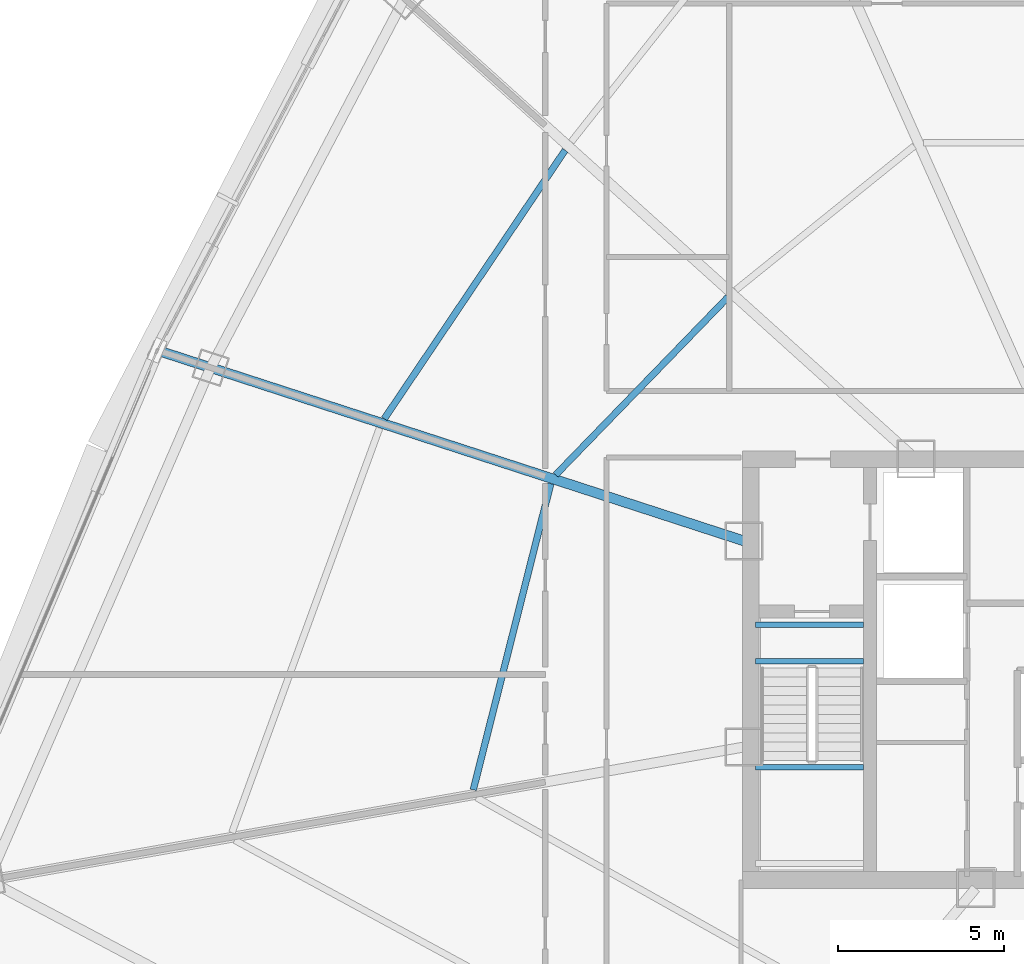
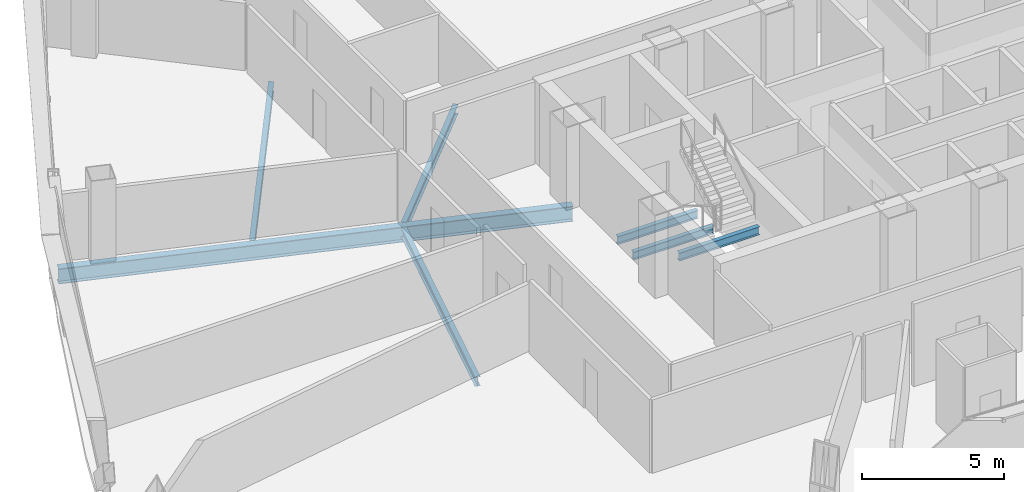
# One storey, part 9 of 38: 7 beams.
"""IFC4 building model written with IfcOpenShell, lengths in metres."""

import ifcopenshell
import ifcopenshell.guid

model = None  # the IFC model being written
_history = None  # IfcOwnerHistory: only IFC2X3 demands one
_inside = {}  # id of a spatial element -> (the spatial element, [elements in it])
_under = {}  # id of a project, library or spatial element -> (it, [spatial elements below it])
_declared = {}  # id of a project -> (the project, [libraries it declares])
_typed = {}  # id of a type object -> (the type object, [elements of that type])
_made_of = {}  # id of a material, layer set ... -> (it, [elements and type objects made of it])


def new_model(schema):
    """Start an empty IFC model of exactly this schema.

    Asked for "IFC4X3", IfcOpenShell would pick the latest addendum, in which some entities
    have other attributes; the version numbers below select the first issue.
    IFC2X3 requires an IfcOwnerHistory on every rooted entity: one is made here for all.
    """
    global model, _history
    if schema == "IFC4X3":
        model = ifcopenshell.file(schema_version=(4, 3, 0, 0))
    else:
        model = ifcopenshell.file(schema=schema)
    _inside.clear()
    _under.clear()
    _declared.clear()
    _typed.clear()
    _made_of.clear()
    _history = None
    if model.schema == "IFC2X3":
        org = make("IfcOrganization", Name="unknown")
        user = make(
            "IfcPersonAndOrganization",
            ThePerson=make("IfcPerson", FamilyName="unknown"),
            TheOrganization=org,
        )
        app = make(
            "IfcApplication",
            ApplicationDeveloper=org,
            Version="unknown",
            ApplicationFullName="unknown",
            ApplicationIdentifier="unknown",
        )
        _history = make(
            "IfcOwnerHistory",
            OwningUser=user,
            OwningApplication=app,
            ChangeAction="ADDED",
            CreationDate=0,
        )
    return model


def make(cls, **values):
    """One entity of the class cls with the attributes given. An attribute that is None is left unset."""
    return model.create_entity(
        cls, **{name: value for name, value in values.items() if value is not None}
    )


def rooted(cls, **values):
    """An entity with a GlobalId (a new one), such as an element, a storey or a relation."""
    return make(cls, GlobalId=ifcopenshell.guid.new(), OwnerHistory=_history, **values)


def si_unit(unit_type, name, prefix=None):
    """IfcSIUnit, for example si_unit("LENGTHUNIT", "METRE", prefix="MILLI")."""
    return make("IfcSIUnit", UnitType=unit_type, Prefix=prefix, Name=name)


def assignment(units):
    """IfcUnitAssignment: the units of a project."""
    return None if units is None else make("IfcUnitAssignment", Units=units)


def point(xyz):
    """IfcCartesianPoint."""
    return None if xyz is None else make("IfcCartesianPoint", Coordinates=xyz)


def direction(xyz):
    """IfcDirection."""
    return None if xyz is None else make("IfcDirection", DirectionRatios=xyz)


def frame(location, z_axis=None, x_axis=None):
    """IfcAxis2Placement3D, a coordinate frame: its origin and axes. An axis left out is left unset."""
    return make(
        "IfcAxis2Placement3D",
        Location=point(location),
        Axis=direction(z_axis),
        RefDirection=direction(x_axis),
    )


def frame_2d(location, x_axis=None):
    """IfcAxis2Placement2D, a coordinate frame in the plane: its origin and x axis."""
    return make(
        "IfcAxis2Placement2D", Location=point(location), RefDirection=direction(x_axis)
    )


def origin():
    """The frame at (0, 0, 0) with its axes left unset."""
    return frame((0.0, 0.0, 0.0))


def origin_2d():
    """The frame at (0, 0) in the plane with its x axis left unset."""
    return frame_2d((0.0, 0.0))


def place(relative_to, where):
    """IfcLocalPlacement: puts the frame where relative to a parent placement (None: the world)."""
    return make(
        "IfcLocalPlacement", PlacementRelTo=relative_to, RelativePlacement=where
    )


def context(
    kind, dimensions, precision=None, world=None, true_north=None, identifier=None
):
    """IfcGeometricRepresentationContext, for example the 3D "Model" context."""
    return make(
        "IfcGeometricRepresentationContext",
        ContextIdentifier=identifier,
        ContextType=kind,
        CoordinateSpaceDimension=dimensions,
        Precision=precision,
        WorldCoordinateSystem=world,
        TrueNorth=true_north,
    )


def subcontext(parent, identifier, kind, view, scale=None):
    """IfcGeometricRepresentationSubContext, for example "Body" below "Model"."""
    return make(
        "IfcGeometricRepresentationSubContext",
        ContextIdentifier=identifier,
        ContextType=kind,
        ParentContext=parent,
        TargetScale=scale,
        TargetView=view,
    )


def project(units=None, contexts=None):
    """IfcProject with its units and contexts."""
    return rooted(
        "IfcProject",
        Name="project",
        RepresentationContexts=contexts,
        UnitsInContext=assignment(units),
    )


def spatial(cls, under=None, at=None, **own):
    """A site, building, storey or space (cls), placed at a placement, below another one or the project."""
    s = rooted(cls, ObjectPlacement=at, **own)
    if under is not None:
        _under.setdefault(under.id(), (under, []))[1].append(s)
    return s


def profile(cls, at=None, kind="AREA", **sizes):
    """A parametric profile (cls). Its sizes go by their IFC names, for example OverallWidth=200.0."""
    return make(cls, ProfileType=kind, Position=at, **sizes)


def i_section(**sizes):
    """IfcIShapeProfileDef."""
    return profile("IfcIShapeProfileDef", **sizes)


def extrude(swept, where, along, depth):
    """IfcExtrudedAreaSolid: the profile swept, set in the frame where, extruded along a direction by depth."""
    return make(
        "IfcExtrudedAreaSolid",
        SweptArea=swept,
        Position=where,
        ExtrudedDirection=direction(along),
        Depth=depth,
    )


def shape(context_of_items, identifier, shape_type, items):
    """IfcShapeRepresentation: the items that make up one representation, for example the "Body"."""
    return make(
        "IfcShapeRepresentation",
        ContextOfItems=context_of_items,
        RepresentationIdentifier=identifier,
        RepresentationType=shape_type,
        Items=items,
    )


def source(mapping_origin, context_of_items, identifier, shape_type, items):
    """IfcRepresentationMap: a shape defined once, which mapped items show again and again."""
    return make(
        "IfcRepresentationMap",
        MappingOrigin=mapping_origin,
        MappedRepresentation=shape(context_of_items, identifier, shape_type, items),
    )


def transform(
    local_origin,
    x_axis=None,
    y_axis=None,
    z_axis=None,
    scale=None,
    scale2=None,
    scale3=None,
    uniform=True,
):
    """IfcCartesianTransformationOperator3D, or its non-uniform kind. x_axis, y_axis, z_axis: its Axis1, 2, 3."""
    if uniform:
        return make(
            "IfcCartesianTransformationOperator3D",
            Axis1=direction(x_axis),
            Axis2=direction(y_axis),
            LocalOrigin=point(local_origin),
            Scale=scale,
            Axis3=direction(z_axis),
        )
    return make(
        "IfcCartesianTransformationOperator3DnonUniform",
        Axis1=direction(x_axis),
        Axis2=direction(y_axis),
        LocalOrigin=point(local_origin),
        Scale=scale,
        Axis3=direction(z_axis),
        Scale2=scale2,
        Scale3=scale3,
    )


def mapped(mapping_source, mapping_target):
    """IfcMappedItem: shows the shape of a source again, moved by a transform."""
    return make(
        "IfcMappedItem", MappingSource=mapping_source, MappingTarget=mapping_target
    )


def material(Name=None, Category=None):
    """IfcMaterial."""
    return make("IfcMaterial", Name=Name, Category=Category)


def material_profile(
    of_material, cross_section, Name=None, Category=None, Priority=None
):
    """IfcMaterialProfile: a cross section and its material."""
    return make(
        "IfcMaterialProfile",
        Name=Name,
        Material=of_material,
        Profile=cross_section,
        Priority=Priority,
        Category=Category,
    )


def profile_set(profiles, Name=None, composite=None):
    """IfcMaterialProfileSet."""
    return make(
        "IfcMaterialProfileSet",
        Name=Name,
        MaterialProfiles=profiles,
        CompositeProfile=composite,
    )


def made_of(thing, what):
    """Note that an element or type object is made of a material, layer set ...; save() writes the relation."""
    if what is not None:
        _made_of.setdefault(what.id(), (what, []))[1].append(thing)
    return thing


def type_object(cls, material=None, **own):
    """A type object (cls), such as IfcWallType, which elements share."""
    return made_of(rooted(cls, **own), material)


def element(
    cls,
    number,
    at=None,
    inside=None,
    cuts=None,
    type_object=None,
    material=None,
    context=None,
    identifier="Body",
    shape_type=None,
    held_by="IfcProductDefinitionShape",
    body=None,
    shapes=None,
    **own,
):
    """One element of the class cls, such as IfcWall. Its Tag is "e" and its number.

    at: its placement. inside: the storey or other place that contains it. cuts: it is an
    opening in that element (IfcRelVoidsElement). A single representation is given by context,
    identifier, shape_type and body (its items); several are given by shapes. held_by: the class
    of the entity that holds the representations. save() writes the other relations.
    """
    e = rooted(cls, Tag="e%d" % number, ObjectPlacement=at, **own)
    if body is not None:
        shapes = [shape(context, identifier, shape_type, body)]
    if shapes is not None:
        e.Representation = make(held_by, Representations=shapes)
    if inside is not None:
        _inside.setdefault(inside.id(), (inside, []))[1].append(e)
    if cuts is not None:
        rooted(
            "IfcRelVoidsElement", RelatingBuildingElement=cuts, RelatedOpeningElement=e
        )
    if type_object is not None:
        _typed.setdefault(type_object.id(), (type_object, []))[1].append(e)
    return made_of(e, material)


def aggregate(whole, parts):
    """IfcRelAggregates: a whole, such as a stair, and the parts it consists of."""
    return rooted("IfcRelAggregates", RelatingObject=whole, RelatedObjects=parts)


def save(model, path):
    """Write the relations noted so far, then the file.

    IfcRelAggregates (storeys below a building ...), IfcRelContainedInSpatialStructure (elements
    in a storey), IfcRelDefinesByType, IfcRelAssociatesMaterial and IfcRelDeclares: one each for
    every whole, place, type object, material and project.
    """
    for whole, parts in _under.values():
        aggregate(whole, parts)
    for where, things in _inside.values():
        rooted(
            "IfcRelContainedInSpatialStructure",
            RelatedElements=things,
            RelatingStructure=where,
        )
    for kind, things in _typed.values():
        rooted("IfcRelDefinesByType", RelatedObjects=things, RelatingType=kind)
    for what, things in _made_of.values():
        rooted("IfcRelAssociatesMaterial", RelatedObjects=things, RelatingMaterial=what)
    for by, libraries in _declared.values():
        rooted("IfcRelDeclares", RelatingContext=by, RelatedDefinitions=libraries)
    model.write(path)


model = new_model("IFC4")

# Units and contexts
model_context = context("Model", 3, precision=1e-05, world=origin(), true_north=direction((0.0, 1.0)))
body_context = subcontext(model_context, "Body", "Model", "MODEL_VIEW")
ifc_project = project(units=[si_unit("LENGTHUNIT", "METRE"), si_unit("AREAUNIT", "SQUARE_METRE"), si_unit("VOLUMEUNIT", "CUBIC_METRE"), si_unit("PLANEANGLEUNIT", "RADIAN"), si_unit("MASSUNIT", "GRAM", prefix="KILO"), si_unit("THERMODYNAMICTEMPERATUREUNIT", "KELVIN"), si_unit("POWERUNIT", "WATT")], contexts=[model_context])

# Site, building, storey
site_placement = place(None, origin())
site = spatial("IfcSite", under=ifc_project, at=site_placement, CompositionType="ELEMENT")
building_placement = place(site_placement, origin())
building = spatial("IfcBuilding", under=site, at=building_placement, Name="Yunzhuo Pagoda Commons", CompositionType="ELEMENT")
storey_placement = place(building_placement, frame((0.0, 0.0, 203.760009765625)))
storey = spatial("IfcBuildingStorey", under=building, at=storey_placement, Name="L51", CompositionType="ELEMENT", Elevation=203.760009765625)

# Beams
ifc_material = material(Name="Structural steel Q355B", Category="steel")
ifc_material_profile_1 = material_profile(ifc_material, i_section(OverallWidth=0.175048828125, OverallDepth=0.35009765625, WebThickness=0.007080078125, FlangeThickness=0.010986328125, at=origin_2d()), Name="Structural steel Q355B")
ifc_profile_set_1 = profile_set([ifc_material_profile_1], Name="Structural steel Q355B")
beam_type_1 = type_object("IfcBeamType", Name="B-JS2 Joist HN 350x175x7x11", PredefinedType="JOIST", material=ifc_profile_set_1)
shared_shape_1 = source(origin(), body_context, "Body", "SweptSolid", [
    extrude(i_section(OverallWidth=0.175048828125, OverallDepth=0.35009765625, WebThickness=0.007080078125, FlangeThickness=0.010986328125, at=origin_2d()), origin(), (0.0, 0.0, 1.0), 3.25),
])
for number, where, z_axis, x_axis, name in (
    (1, (35.949951171875, 30.89990234375, 1.52490234375), (1.0, 0.0, 0.0), (0.0, 1.0, 0.0), "L51 ST1 landing support beam 57B"),
    (2, (35.949951171875, 34.10009765625, -0.375), (1.0, 0.0, 0.0), (0.0, 1.0, 0.0), "L51 ST1 landing support beam 155A"),
    (3, (35.949951171875, 35.199951171875, -0.375), (1.0, 0.0, 0.0), (0.0, 1.0, 0.0), "L51 ST1 landing support beam 155B"),
):
    element("IfcBeam", number, at=place(storey_placement, frame(where, z_axis=z_axis, x_axis=x_axis)), inside=storey, type_object=beam_type_1, Name=name, PredefinedType="JOIST", context=body_context, shape_type="MappedRepresentation", body=[
        mapped(shared_shape_1, transform((0.0, 0.0, 0.0), scale=1.0)),
    ])
ifc_material_profile_2 = material_profile(ifc_material, i_section(OverallWidth=0.199951171875, OverallDepth=0.39990234375, WebThickness=0.008056640625, FlangeThickness=0.012939453125, at=origin_2d()), Name="Structural steel Q355B")
ifc_profile_set_2 = profile_set([ifc_material_profile_2], Name="Structural steel Q355B")
beam_type_2 = type_object("IfcBeamType", Name="B-JS1 Joist HN 400x200x8x13", PredefinedType="JOIST", material=ifc_profile_set_2)
shared_shape_2 = source(origin(), body_context, "Body", "SweptSolid", [
    extrude(i_section(OverallWidth=0.199951171875, OverallDepth=0.39990234375, WebThickness=0.008056640625, FlangeThickness=0.012939453125, at=origin_2d()), origin(), (0.0, 0.0, 1.0), 9.529052734375),
])
beam_1_placement = place(storey_placement, frame((29.766845703125, 39.457763671875, -0.4599609375), z_axis=(-0.245367921097, -0.969430030119, 0.0), x_axis=(0.969430030119, -0.245367921097, 0.0)))
element("IfcBeam", 4, at=beam_1_placement, inside=storey, type_object=beam_type_2, Name="L51 composite ring joist 1.11", PredefinedType="JOIST", context=body_context, shape_type="MappedRepresentation", body=[
    mapped(shared_shape_2, transform((0.0, 0.0, 0.0), scale=1.0)),
])
shared_shape_3 = source(origin(), body_context, "Body", "SweptSolid", [
    extrude(i_section(OverallWidth=0.199951171875, OverallDepth=0.39990234375, WebThickness=0.008056640625, FlangeThickness=0.012939453125, at=origin_2d()), origin(), (0.0, 0.0, 1.0), 7.46826171875),
])
beam_2_placement = place(storey_placement, frame((35.114990234375, 45.087890625, -0.4599609375), z_axis=(-0.696070782679, -0.717973164889, 0.0), x_axis=(0.717973164889, -0.696070782679, 0.0)))
element("IfcBeam", 5, at=beam_2_placement, inside=storey, type_object=beam_type_2, Name="L51 composite ring joist 1.10", PredefinedType="JOIST", context=body_context, shape_type="MappedRepresentation", body=[
    mapped(shared_shape_3, transform((0.0, 0.0, 0.0), scale=1.0)),
])
shared_shape_4 = source(origin(), body_context, "Body", "SweptSolid", [
    extrude(i_section(OverallWidth=0.199951171875, OverallDepth=0.39990234375, WebThickness=0.008056640625, FlangeThickness=0.012939453125, at=origin_2d()), origin(), (0.0, 0.0, 1.0), 9.764892578125),
])
beam_3_placement = place(storey_placement, frame((30.198486328125, 49.5166015625, -0.4599609375), z_axis=(-0.558548425455, -0.829471914185, 0.0), x_axis=(0.829471914185, -0.558548425455, 0.0)))
element("IfcBeam", 6, at=beam_3_placement, inside=storey, type_object=beam_type_2, Name="L51 composite ring joist 2.10", PredefinedType="JOIST", context=body_context, shape_type="MappedRepresentation", body=[
    mapped(shared_shape_4, transform((0.0, 0.0, 0.0), scale=1.0)),
])
ifc_material_profile_3 = material_profile(ifc_material, i_section(OverallWidth=0.300048828125, OverallDepth=0.64990234375, WebThickness=0.012939453125, FlangeThickness=0.02197265625, at=origin_2d()), Name="Structural steel Q355B")
ifc_profile_set_3 = profile_set([ifc_material_profile_3], Name="Structural steel Q355B")
beam_type_3 = type_object("IfcBeamType", Name="B-RG2 Beam HN 650x300x13x22", PredefinedType="BEAM", material=ifc_profile_set_3)
shared_shape_5 = source(origin(), body_context, "Body", "SweptSolid", [
    extrude(i_section(OverallWidth=0.300048828125, OverallDepth=0.64990234375, WebThickness=0.012939453125, FlangeThickness=0.02197265625, at=origin_2d()), origin(), (0.0, 0.0, 1.0), 18.463623046875),
])
beam_4_placement = place(storey_placement, frame((18.0400390625, 43.4345703125, -0.5849609375), z_axis=(0.951057192744, -0.309014912472, 0.0), x_axis=(0.309014912472, 0.951057192744, 0.0)))
element("IfcBeam", 7, at=beam_4_placement, inside=storey, type_object=beam_type_3, Name="L51 radial floor girder F3C3", PredefinedType="BEAM", context=body_context, shape_type="MappedRepresentation", body=[
    mapped(shared_shape_5, transform((0.0, 0.0, 0.0), scale=1.0)),
])

save(model, "model.ifc")
